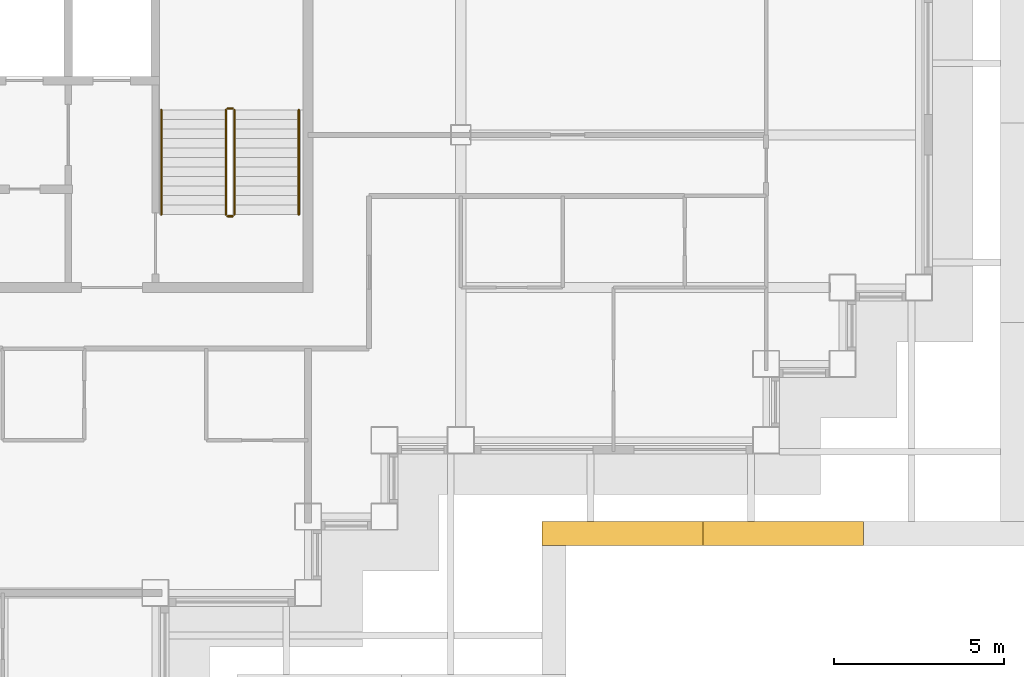
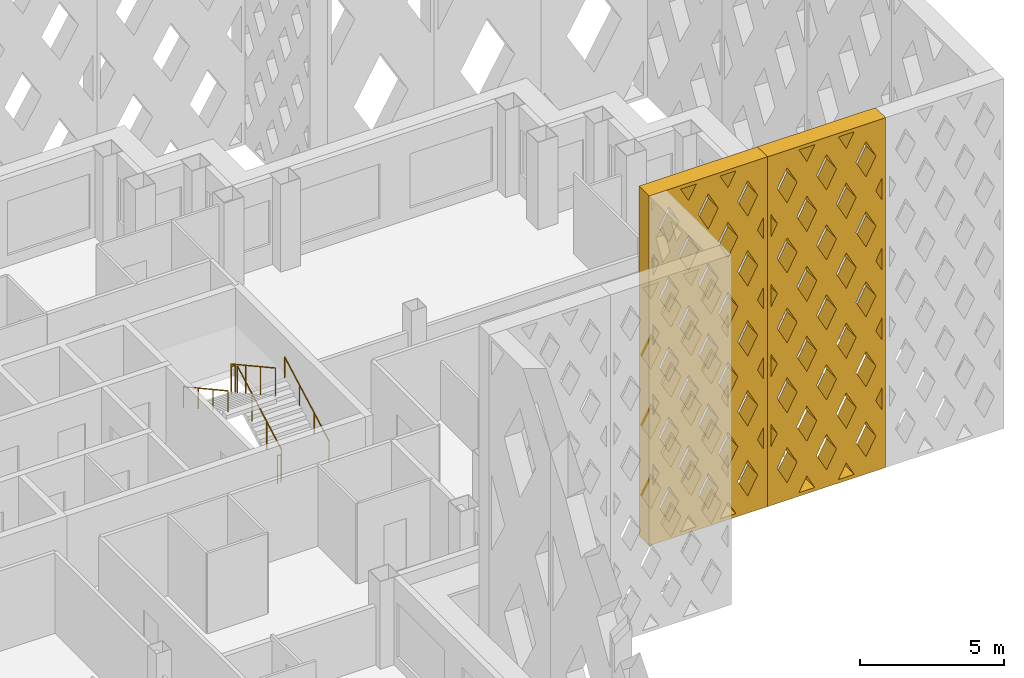
# One storey, part 16 of 19: 6 railings, 2 shading devices.
"""IFC4 building model written with IfcOpenShell, lengths in metres."""

from ifc_helpers import new_model, si_unit, direction, frame, origin, origin_2d, place, context, subcontext, project, spatial, polyline, circle, outline, extrude, material, type_object, element, save


model = new_model("IFC4")

# Units and contexts
model_context = context("Model", 3, precision=1e-05, world=origin(), true_north=direction((0.0, 1.0)))
body_context = subcontext(model_context, "Body", "Model", "MODEL_VIEW")
ifc_project = project(units=[si_unit("LENGTHUNIT", "METRE"), si_unit("AREAUNIT", "SQUARE_METRE"), si_unit("VOLUMEUNIT", "CUBIC_METRE"), si_unit("PLANEANGLEUNIT", "RADIAN"), si_unit("MASSUNIT", "GRAM", prefix="KILO")], contexts=[model_context])

# Site, building, storey
site_placement = place(None, origin())
site = spatial("IfcSite", under=ifc_project, at=site_placement, CompositionType="ELEMENT")
building_placement = place(site_placement, origin())
building = spatial("IfcBuilding", under=site, at=building_placement, Name="Caravel Reach Hotel and Residences", CompositionType="ELEMENT")
storey_placement = place(building_placement, frame((0.0, 0.0, 150.60009765625)))
storey = spatial("IfcBuildingStorey", under=building, at=storey_placement, Name="L37", CompositionType="ELEMENT", Elevation=150.60009765625)

# Shading devices
ifc_material_1 = material(Name="Black powder-coated aluminium", Category="aluminium")
shading_device_type = type_object("IfcShadingDeviceType", Name="Diamond lattice screen panel 4733 x 14800", PredefinedType="USERDEFINED", material=ifc_material_1)
shading_device_1_placement = place(storey_placement, frame((51.89990234375, 15.60009765625, 0.0), z_axis=(0.0, -1.0, 0.0), x_axis=(1.0, 0.0, 0.0)))
element("IfcShadingDevice", 1, at=shading_device_1_placement, inside=storey, type_object=shading_device_type, Name="Lattice screen L37-L40 6.1", ObjectType="SCREEN", PredefinedType="USERDEFINED", context=body_context, shape_type="SweptSolid", body=[
    extrude(outline(polyline([(0.0, 0.0), (4.7333984375, 0.0), (4.7333984375, 14.800048828125), (0.0, 14.800048828125), (0.0, 0.0)]), holes=[polyline([(0.398681640625, 2.9599609375), (0.14990234375, 3.4267578125), (0.14990234375, 2.493408203125), (0.398681640625, 2.9599609375)]), polyline([(0.398681640625, 5.919921875), (0.14990234375, 6.38671875), (0.14990234375, 5.453369140625), (0.398681640625, 5.919921875)]), polyline([(0.398681640625, 8.8798828125), (0.14990234375, 9.3466796875), (0.14990234375, 8.413330078125), (0.398681640625, 8.8798828125)]), polyline([(0.398681640625, 11.840087890625), (0.14990234375, 12.306640625), (0.14990234375, 11.373291015625), (0.398681640625, 11.840087890625)]), polyline([(0.788818359375, 2.22802734375), (0.39013671875, 1.47998046875), (0.788818359375, 0.73193359375), (1.187744140625, 1.47998046875), (0.788818359375, 2.22802734375)]), polyline([(0.788818359375, 5.18798828125), (0.39013671875, 4.43994140625), (0.788818359375, 3.69189453125), (1.187744140625, 4.43994140625), (0.788818359375, 5.18798828125)]), polyline([(0.788818359375, 8.14794921875), (0.39013671875, 7.39990234375), (0.788818359375, 6.65185546875), (1.187744140625, 7.39990234375), (0.788818359375, 8.14794921875)]), polyline([(0.788818359375, 11.108154296875), (0.39013671875, 10.360107421875), (0.788818359375, 9.612060546875), (1.187744140625, 10.360107421875), (0.788818359375, 11.108154296875)]), polyline([(0.788818359375, 14.068115234375), (0.39013671875, 13.320068359375), (0.788818359375, 12.572021484375), (1.187744140625, 13.320068359375), (0.788818359375, 14.068115234375)]), polyline([(1.577880859375, 0.748046875), (1.259033203125, 0.14990234375), (1.896484375, 0.14990234375), (1.577880859375, 0.748046875)]), polyline([(1.577880859375, 3.7080078125), (1.178955078125, 2.9599609375), (1.577880859375, 2.2119140625), (1.9765625, 2.9599609375), (1.577880859375, 3.7080078125)]), polyline([(1.577880859375, 6.66796875), (1.178955078125, 5.919921875), (1.577880859375, 5.171875), (1.9765625, 5.919921875), (1.577880859375, 6.66796875)]), polyline([(1.577880859375, 9.6279296875), (1.178955078125, 8.8798828125), (1.577880859375, 8.1318359375), (1.9765625, 8.8798828125), (1.577880859375, 9.6279296875)]), polyline([(1.577880859375, 12.588134765625), (1.178955078125, 11.840087890625), (1.577880859375, 11.092041015625), (1.9765625, 11.840087890625), (1.577880859375, 12.588134765625)]), polyline([(1.577880859375, 14.052001953125), (1.896484375, 14.64990234375), (1.259033203125, 14.64990234375), (1.577880859375, 14.052001953125)]), polyline([(2.36669921875, 2.22802734375), (1.968017578125, 1.47998046875), (2.36669921875, 0.73193359375), (2.765380859375, 1.47998046875), (2.36669921875, 2.22802734375)]), polyline([(2.36669921875, 5.18798828125), (1.968017578125, 4.43994140625), (2.36669921875, 3.69189453125), (2.765380859375, 4.43994140625), (2.36669921875, 5.18798828125)]), polyline([(2.36669921875, 8.14794921875), (1.968017578125, 7.39990234375), (2.36669921875, 6.65185546875), (2.765380859375, 7.39990234375), (2.36669921875, 8.14794921875)]), polyline([(2.36669921875, 11.108154296875), (1.968017578125, 10.360107421875), (2.36669921875, 9.612060546875), (2.765380859375, 10.360107421875), (2.36669921875, 11.108154296875)]), polyline([(2.36669921875, 14.068115234375), (1.968017578125, 13.320068359375), (2.36669921875, 12.572021484375), (2.765380859375, 13.320068359375), (2.36669921875, 14.068115234375)]), polyline([(3.155517578125, 0.748046875), (2.836669921875, 0.14990234375), (3.474365234375, 0.14990234375), (3.155517578125, 0.748046875)]), polyline([(3.155517578125, 3.7080078125), (2.7568359375, 2.9599609375), (3.155517578125, 2.2119140625), (3.55419921875, 2.9599609375), (3.155517578125, 3.7080078125)]), polyline([(3.155517578125, 6.66796875), (2.7568359375, 5.919921875), (3.155517578125, 5.171875), (3.55419921875, 5.919921875), (3.155517578125, 6.66796875)]), polyline([(3.155517578125, 9.6279296875), (2.7568359375, 8.8798828125), (3.155517578125, 8.1318359375), (3.55419921875, 8.8798828125), (3.155517578125, 9.6279296875)]), polyline([(3.155517578125, 12.588134765625), (2.7568359375, 11.840087890625), (3.155517578125, 11.092041015625), (3.55419921875, 11.840087890625), (3.155517578125, 12.588134765625)]), polyline([(3.155517578125, 14.052001953125), (3.474365234375, 14.64990234375), (2.836669921875, 14.64990234375), (3.155517578125, 14.052001953125)]), polyline([(3.9443359375, 2.22802734375), (3.545654296875, 1.47998046875), (3.9443359375, 0.73193359375), (4.34326171875, 1.47998046875), (3.9443359375, 2.22802734375)]), polyline([(3.9443359375, 5.18798828125), (3.545654296875, 4.43994140625), (3.9443359375, 3.69189453125), (4.34326171875, 4.43994140625), (3.9443359375, 5.18798828125)]), polyline([(3.9443359375, 8.14794921875), (3.545654296875, 7.39990234375), (3.9443359375, 6.65185546875), (4.34326171875, 7.39990234375), (3.9443359375, 8.14794921875)]), polyline([(3.9443359375, 11.108154296875), (3.545654296875, 10.360107421875), (3.9443359375, 9.612060546875), (4.34326171875, 10.360107421875), (3.9443359375, 11.108154296875)]), polyline([(3.9443359375, 14.068115234375), (3.545654296875, 13.320068359375), (3.9443359375, 12.572021484375), (4.34326171875, 13.320068359375), (3.9443359375, 14.068115234375)]), polyline([(4.334716796875, 2.9599609375), (4.583251953125, 2.493408203125), (4.583251953125, 3.4267578125), (4.334716796875, 2.9599609375)]), polyline([(4.334716796875, 5.919921875), (4.583251953125, 5.453369140625), (4.583251953125, 6.38671875), (4.334716796875, 5.919921875)]), polyline([(4.334716796875, 8.8798828125), (4.583251953125, 8.413330078125), (4.583251953125, 9.3466796875), (4.334716796875, 8.8798828125)]), polyline([(4.334716796875, 11.840087890625), (4.583251953125, 11.373291015625), (4.583251953125, 12.306640625), (4.334716796875, 11.840087890625)])]), origin(), (0.0, 0.0, 1.0), 0.7001953125),
])
shading_device_2_placement = place(storey_placement, frame((56.63330078125, 15.60009765625, 0.0), z_axis=(0.0, -1.0, 0.0), x_axis=(1.0, 0.0, 0.0)))
element("IfcShadingDevice", 2, at=shading_device_2_placement, inside=storey, type_object=shading_device_type, Name="Lattice screen L37-L40 6.2", ObjectType="SCREEN", PredefinedType="USERDEFINED", context=body_context, shape_type="SweptSolid", body=[
    extrude(outline(polyline([(0.0, 0.0), (4.7333984375, 0.0), (4.7333984375, 14.800048828125), (0.0, 14.800048828125), (0.0, 0.0)]), holes=[polyline([(0.398681640625, 2.9599609375), (0.14990234375, 3.4267578125), (0.14990234375, 2.493408203125), (0.398681640625, 2.9599609375)]), polyline([(0.398681640625, 5.919921875), (0.14990234375, 6.38671875), (0.14990234375, 5.453369140625), (0.398681640625, 5.919921875)]), polyline([(0.398681640625, 8.8798828125), (0.14990234375, 9.3466796875), (0.14990234375, 8.413330078125), (0.398681640625, 8.8798828125)]), polyline([(0.398681640625, 11.840087890625), (0.14990234375, 12.306640625), (0.14990234375, 11.373291015625), (0.398681640625, 11.840087890625)]), polyline([(0.788818359375, 2.22802734375), (0.39013671875, 1.47998046875), (0.788818359375, 0.73193359375), (1.187744140625, 1.47998046875), (0.788818359375, 2.22802734375)]), polyline([(0.788818359375, 5.18798828125), (0.39013671875, 4.43994140625), (0.788818359375, 3.69189453125), (1.187744140625, 4.43994140625), (0.788818359375, 5.18798828125)]), polyline([(0.788818359375, 8.14794921875), (0.39013671875, 7.39990234375), (0.788818359375, 6.65185546875), (1.187744140625, 7.39990234375), (0.788818359375, 8.14794921875)]), polyline([(0.788818359375, 11.108154296875), (0.39013671875, 10.360107421875), (0.788818359375, 9.612060546875), (1.187744140625, 10.360107421875), (0.788818359375, 11.108154296875)]), polyline([(0.788818359375, 14.068115234375), (0.39013671875, 13.320068359375), (0.788818359375, 12.572021484375), (1.187744140625, 13.320068359375), (0.788818359375, 14.068115234375)]), polyline([(1.577880859375, 0.748046875), (1.259033203125, 0.14990234375), (1.896484375, 0.14990234375), (1.577880859375, 0.748046875)]), polyline([(1.577880859375, 3.7080078125), (1.178955078125, 2.9599609375), (1.577880859375, 2.2119140625), (1.9765625, 2.9599609375), (1.577880859375, 3.7080078125)]), polyline([(1.577880859375, 6.66796875), (1.178955078125, 5.919921875), (1.577880859375, 5.171875), (1.9765625, 5.919921875), (1.577880859375, 6.66796875)]), polyline([(1.577880859375, 9.6279296875), (1.178955078125, 8.8798828125), (1.577880859375, 8.1318359375), (1.9765625, 8.8798828125), (1.577880859375, 9.6279296875)]), polyline([(1.577880859375, 12.588134765625), (1.178955078125, 11.840087890625), (1.577880859375, 11.092041015625), (1.9765625, 11.840087890625), (1.577880859375, 12.588134765625)]), polyline([(1.577880859375, 14.052001953125), (1.896484375, 14.64990234375), (1.259033203125, 14.64990234375), (1.577880859375, 14.052001953125)]), polyline([(2.36669921875, 2.22802734375), (1.968017578125, 1.47998046875), (2.36669921875, 0.73193359375), (2.765380859375, 1.47998046875), (2.36669921875, 2.22802734375)]), polyline([(2.36669921875, 5.18798828125), (1.968017578125, 4.43994140625), (2.36669921875, 3.69189453125), (2.765380859375, 4.43994140625), (2.36669921875, 5.18798828125)]), polyline([(2.36669921875, 8.14794921875), (1.968017578125, 7.39990234375), (2.36669921875, 6.65185546875), (2.765380859375, 7.39990234375), (2.36669921875, 8.14794921875)]), polyline([(2.36669921875, 11.108154296875), (1.968017578125, 10.360107421875), (2.36669921875, 9.612060546875), (2.765380859375, 10.360107421875), (2.36669921875, 11.108154296875)]), polyline([(2.36669921875, 14.068115234375), (1.968017578125, 13.320068359375), (2.36669921875, 12.572021484375), (2.765380859375, 13.320068359375), (2.36669921875, 14.068115234375)]), polyline([(3.155517578125, 0.748046875), (2.836669921875, 0.14990234375), (3.474365234375, 0.14990234375), (3.155517578125, 0.748046875)]), polyline([(3.155517578125, 3.7080078125), (2.7568359375, 2.9599609375), (3.155517578125, 2.2119140625), (3.55419921875, 2.9599609375), (3.155517578125, 3.7080078125)]), polyline([(3.155517578125, 6.66796875), (2.7568359375, 5.919921875), (3.155517578125, 5.171875), (3.55419921875, 5.919921875), (3.155517578125, 6.66796875)]), polyline([(3.155517578125, 9.6279296875), (2.7568359375, 8.8798828125), (3.155517578125, 8.1318359375), (3.55419921875, 8.8798828125), (3.155517578125, 9.6279296875)]), polyline([(3.155517578125, 12.588134765625), (2.7568359375, 11.840087890625), (3.155517578125, 11.092041015625), (3.55419921875, 11.840087890625), (3.155517578125, 12.588134765625)]), polyline([(3.155517578125, 14.052001953125), (3.474365234375, 14.64990234375), (2.836669921875, 14.64990234375), (3.155517578125, 14.052001953125)]), polyline([(3.9443359375, 2.22802734375), (3.545654296875, 1.47998046875), (3.9443359375, 0.73193359375), (4.34326171875, 1.47998046875), (3.9443359375, 2.22802734375)]), polyline([(3.9443359375, 5.18798828125), (3.545654296875, 4.43994140625), (3.9443359375, 3.69189453125), (4.34326171875, 4.43994140625), (3.9443359375, 5.18798828125)]), polyline([(3.9443359375, 8.14794921875), (3.545654296875, 7.39990234375), (3.9443359375, 6.65185546875), (4.34326171875, 7.39990234375), (3.9443359375, 8.14794921875)]), polyline([(3.9443359375, 11.108154296875), (3.545654296875, 10.360107421875), (3.9443359375, 9.612060546875), (4.34326171875, 10.360107421875), (3.9443359375, 11.108154296875)]), polyline([(3.9443359375, 14.068115234375), (3.545654296875, 13.320068359375), (3.9443359375, 12.572021484375), (4.34326171875, 13.320068359375), (3.9443359375, 14.068115234375)]), polyline([(4.334716796875, 2.9599609375), (4.583251953125, 2.493408203125), (4.583251953125, 3.4267578125), (4.334716796875, 2.9599609375)]), polyline([(4.334716796875, 5.919921875), (4.583251953125, 5.453369140625), (4.583251953125, 6.38671875), (4.334716796875, 5.919921875)]), polyline([(4.334716796875, 8.8798828125), (4.583251953125, 8.413330078125), (4.583251953125, 9.3466796875), (4.334716796875, 8.8798828125)]), polyline([(4.334716796875, 11.840087890625), (4.583251953125, 11.373291015625), (4.583251953125, 12.306640625), (4.334716796875, 11.840087890625)])]), origin(), (0.0, 0.0, 1.0), 0.7001953125),
])

# Railings
ifc_material_2 = material(Name="Steel balustrade with glass infill", Category="steel")
railing_type_1 = type_object("IfcRailingType", Name="Guard 1200", PredefinedType="GUARDRAIL", material=ifc_material_2)
railing_1_placement = place(storey_placement, frame((42.824951171875, 24.64990234375, 0.154052734375)))
element("IfcRailing", 3, at=railing_1_placement, inside=storey, type_object=railing_type_1, Name="L37 ST-B stair guard 1", PredefinedType="GUARDRAIL", context=body_context, shape_type="SweptSolid", body=[
    extrude(circle(Radius=0.02392578125, at=origin_2d()), frame((0.0, 0.0, 1.17578125), z_axis=(0.0, 0.876004717809, 0.482302534076), x_axis=(-1.0, 0.0, 0.0)), (0.0, 0.0, 1.0), 3.51611328125),
    extrude(circle(Radius=0.02099609375, at=origin_2d()), origin(), (0.0, 0.0, 1.0), 1.15185546875),
    extrude(circle(Radius=0.02099609375, at=origin_2d()), frame((0.0, 1.026611328125, 0.565185546875)), (0.0, 0.0, 1.0), 1.15185546875),
    extrude(circle(Radius=0.02099609375, at=origin_2d()), frame((0.0, 2.053466796875, 1.130615234375)), (0.0, 0.0, 1.0), 1.15185546875),
    extrude(circle(Radius=0.02099609375, at=origin_2d()), frame((0.0, 3.080078125, 1.69580078125)), (0.0, 0.0, 1.0), 1.15185546875),
])
railing_2_placement = place(storey_placement, frame((42.77490234375, 27.780029296875, 1.849853515625)))
element("IfcRailing", 4, at=railing_2_placement, inside=storey, type_object=railing_type_1, Name="L37 ST-B stair guard 2", PredefinedType="GUARDRAIL", context=body_context, shape_type="SweptSolid", body=[
    extrude(circle(Radius=0.02392578125, at=origin_2d()), frame((0.0, 0.0, 1.17578125), z_axis=(-1.0, 0.0, 0.0), x_axis=(0.0, -1.0, 0.0)), (0.0, 0.0, 1.0), 0.14990234375),
    extrude(circle(Radius=0.02099609375, at=origin_2d()), origin(), (0.0, 0.0, 1.0), 1.15185546875),
    extrude(circle(Radius=0.02099609375, at=origin_2d()), frame((-0.14990234375, 0.0, 0.0)), (0.0, 0.0, 1.0), 1.15185546875),
])
railing_3_placement = place(storey_placement, frame((42.574951171875, 27.72998046875, 2.004150390625)))
element("IfcRailing", 5, at=railing_3_placement, inside=storey, type_object=railing_type_1, Name="L37 ST-B stair guard 3", PredefinedType="GUARDRAIL", context=body_context, shape_type="SweptSolid", body=[
    extrude(circle(Radius=0.02392578125, at=origin_2d()), frame((0.0, 0.0, 1.17578125), z_axis=(0.0, -0.876004717809, 0.482302534076), x_axis=(1.0, 0.0, 0.0)), (0.0, 0.0, 1.0), 3.51611328125),
    extrude(circle(Radius=0.02099609375, at=origin_2d()), origin(), (0.0, 0.0, 1.0), 1.15185546875),
    extrude(circle(Radius=0.02099609375, at=origin_2d()), frame((0.0, -1.026611328125, 0.565185546875)), (0.0, 0.0, 1.0), 1.15185546875),
    extrude(circle(Radius=0.02099609375, at=origin_2d()), frame((0.0, -2.053466796875, 1.130615234375)), (0.0, 0.0, 1.0), 1.15185546875),
    extrude(circle(Radius=0.02099609375, at=origin_2d()), frame((0.0, -3.080078125, 1.69580078125)), (0.0, 0.0, 1.0), 1.15185546875),
])
railing_4_placement = place(storey_placement, frame((42.77490234375, 24.60009765625, 0.0)))
element("IfcRailing", 6, at=railing_4_placement, inside=storey, type_object=railing_type_1, Name="L37 ST-B stair guard 4", PredefinedType="GUARDRAIL", context=body_context, shape_type="SweptSolid", body=[
    extrude(circle(Radius=0.02392578125, at=origin_2d()), frame((0.0, 0.0, 1.17578125), z_axis=(-1.0, 0.0, 0.0), x_axis=(0.0, -1.0, 0.0)), (0.0, 0.0, 1.0), 0.14990234375),
    extrude(circle(Radius=0.02099609375, at=origin_2d()), origin(), (0.0, 0.0, 1.0), 1.15185546875),
    extrude(circle(Radius=0.02099609375, at=origin_2d()), frame((-0.14990234375, 0.0, 0.0)), (0.0, 0.0, 1.0), 1.15185546875),
])
ifc_material_3 = material(Name="Stainless steel handrail", Category="steel")
railing_type_2 = type_object("IfcRailingType", Name="Handrail 900", PredefinedType="HANDRAIL", material=ifc_material_3)
railing_5_placement = place(storey_placement, frame((44.72509765625, 24.64990234375, 0.154052734375)))
element("IfcRailing", 7, at=railing_5_placement, inside=storey, type_object=railing_type_2, Name="L37 ST-B stair handrail 1", PredefinedType="HANDRAIL", context=body_context, shape_type="SweptSolid", body=[
    extrude(circle(Radius=0.02392578125, at=origin_2d()), frame((0.0, 0.0, 0.8759765625), z_axis=(0.0, 0.876004717809, 0.482302534076), x_axis=(-1.0, 0.0, 0.0)), (0.0, 0.0, 1.0), 3.51611328125),
    extrude(circle(Radius=0.02099609375, at=origin_2d()), origin(), (0.0, 0.0, 1.0), 0.851806640625),
    extrude(circle(Radius=0.02099609375, at=origin_2d()), frame((0.0, 1.026611328125, 0.565185546875)), (0.0, 0.0, 1.0), 0.851806640625),
    extrude(circle(Radius=0.02099609375, at=origin_2d()), frame((0.0, 2.053466796875, 1.130615234375)), (0.0, 0.0, 1.0), 0.851806640625),
    extrude(circle(Radius=0.02099609375, at=origin_2d()), frame((0.0, 3.080078125, 1.69580078125)), (0.0, 0.0, 1.0), 0.851806640625),
])
railing_6_placement = place(storey_placement, frame((40.675048828125, 27.72998046875, 2.004150390625)))
element("IfcRailing", 8, at=railing_6_placement, inside=storey, type_object=railing_type_2, Name="L37 ST-B stair handrail 2", PredefinedType="HANDRAIL", context=body_context, shape_type="SweptSolid", body=[
    extrude(circle(Radius=0.02392578125, at=origin_2d()), frame((0.0, 0.0, 0.8759765625), z_axis=(0.0, -0.876004717809, 0.482302534076), x_axis=(1.0, 0.0, 0.0)), (0.0, 0.0, 1.0), 3.51611328125),
    extrude(circle(Radius=0.02099609375, at=origin_2d()), origin(), (0.0, 0.0, 1.0), 0.851806640625),
    extrude(circle(Radius=0.02099609375, at=origin_2d()), frame((0.0, -1.026611328125, 0.565185546875)), (0.0, 0.0, 1.0), 0.851806640625),
    extrude(circle(Radius=0.02099609375, at=origin_2d()), frame((0.0, -2.053466796875, 1.130615234375)), (0.0, 0.0, 1.0), 0.851806640625),
    extrude(circle(Radius=0.02099609375, at=origin_2d()), frame((0.0, -3.080078125, 1.69580078125)), (0.0, 0.0, 1.0), 0.851806640625),
])

save(model, "model.ifc")
